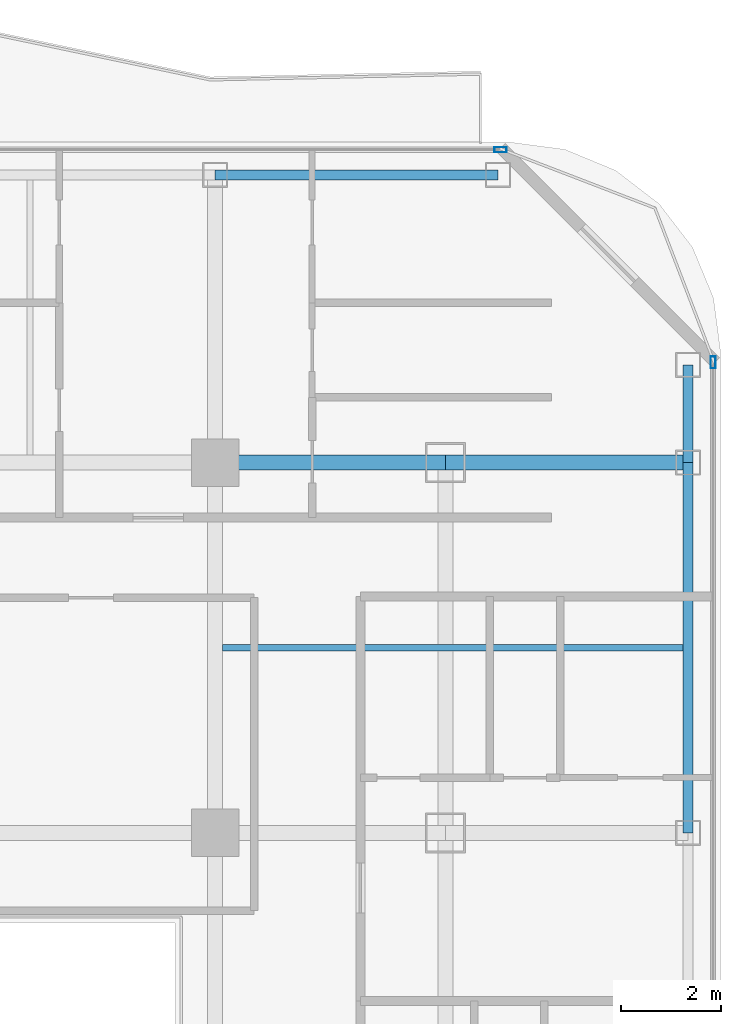
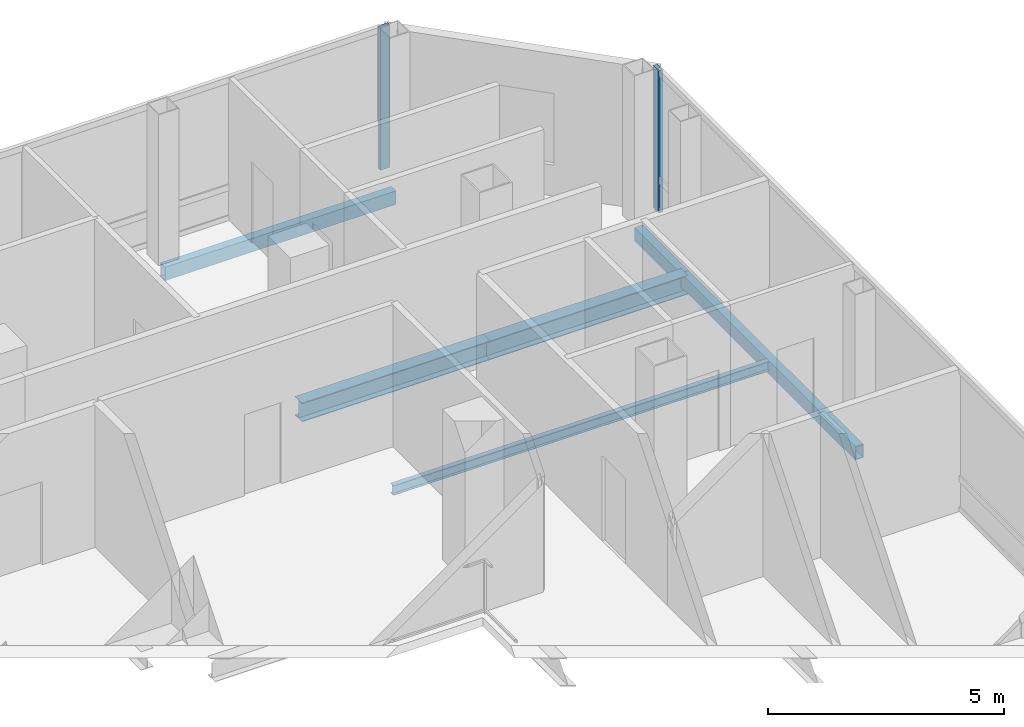
# One storey, part 15 of 24: 6 beams, 2 members, 2 elements without a shape of their own.
"""IFC4 building model written with IfcOpenShell, lengths in metres."""

from ifc_helpers import new_model, si_unit, direction, frame, origin, origin_2d, place, context, subcontext, project, spatial, hollow_rectangle, i_section, extrude, material, layer, layer_set, material_profile, profile_set, type_object, element, aggregate, save


model = new_model("IFC4")

# Units and contexts
model_context = context("Model", 3, precision=1e-05, world=origin(), true_north=direction((0.0, 1.0)))
body_context = subcontext(model_context, "Body", "Model", "MODEL_VIEW")
ifc_project = project(units=[si_unit("LENGTHUNIT", "METRE"), si_unit("AREAUNIT", "SQUARE_METRE"), si_unit("VOLUMEUNIT", "CUBIC_METRE"), si_unit("PLANEANGLEUNIT", "RADIAN"), si_unit("MASSUNIT", "GRAM", prefix="KILO")], contexts=[model_context])

# Site, building, storey
site_placement = place(None, origin())
site = spatial("IfcSite", under=ifc_project, at=site_placement, CompositionType="ELEMENT")
building_placement = place(site_placement, origin())
building = spatial("IfcBuilding", under=site, at=building_placement, Name="Khorvyn Point Tower", CompositionType="ELEMENT")
storey_placement = place(building_placement, frame((0.0, 0.0, 266.39990234375)))
storey = spatial("IfcBuildingStorey", under=building, at=storey_placement, Name="L65", CompositionType="ELEMENT", Elevation=266.39990234375)

# Curtain wall, member
ifc_material_1 = material(Name="Anodised aluminium 6063-T6 and laminated Low-E glass", Category="aluminium")
ifc_layer = layer(ifc_material_1, 0.18994140625)
ifc_layer_set = layer_set([ifc_layer], Name="Stick-Built High-Wind Curtain Wall CW-SYS-04")
curtain_wall_type = type_object("IfcCurtainWallType", Name="Stick-Built High-Wind Curtain Wall CW-SYS-04", PredefinedType="NOTDEFINED", material=ifc_layer_set)
curtain_wall_1_placement = place(storey_placement, origin())
curtain_wall_1 = element("IfcCurtainWall", 1, at=curtain_wall_1_placement, inside=storey, type_object=curtain_wall_type, Name="Curtain Wall", PredefinedType="NOTDEFINED")
ifc_material_2 = material(Name="Anodised aluminium 6063-T6", Category="aluminium")
ifc_material_profile_1 = material_profile(ifc_material_2, hollow_rectangle(XDim=0.10009765625, YDim=0.239990234375, WallThickness=0.0048828125, at=origin_2d()))
ifc_profile_set_1 = profile_set([ifc_material_profile_1], Name="Anodised aluminium 6063-T6 ALU-MUL-100x240")
member_type = type_object("IfcMemberType", Name="Anodised Aluminium 6063-T6 Mullion ALU-MUL-100x240", PredefinedType="MULLION", material=ifc_profile_set_1)
member_1_placement = place(storey_placement, frame((20.5, 21.050048828125, 0.0), z_axis=(0.0, 0.0, 1.0), x_axis=(0.0, 1.0, 0.0)))
member_1 = element("IfcMember", 2, at=member_1_placement, type_object=member_type, Name="Transom", PredefinedType="MULLION", context=body_context, shape_type="SweptSolid", body=[
    extrude(hollow_rectangle(XDim=0.10009765625, YDim=0.239990234375, WallThickness=0.0048828125, at=origin_2d()), origin(), (0.0, 0.0, 1.0), 3.68017578125),
])
aggregate(curtain_wall_1, [member_1])

curtain_wall_2_placement = place(storey_placement, origin())
curtain_wall_2 = element("IfcCurtainWall", 3, at=curtain_wall_2_placement, inside=storey, type_object=curtain_wall_type, Name="Curtain Wall", PredefinedType="NOTDEFINED")
member_2_placement = place(storey_placement, frame((24.75, 16.800048828125, 0.0), z_axis=(0.0, 0.0, 1.0), x_axis=(1.0, 0.0, 0.0)))
member_2 = element("IfcMember", 4, at=member_2_placement, type_object=member_type, Name="Transom", PredefinedType="MULLION", context=body_context, shape_type="SweptSolid", body=[
    extrude(hollow_rectangle(XDim=0.10009765625, YDim=0.239990234375, WallThickness=0.0048828125, at=origin_2d()), origin(), (0.0, 0.0, 1.0), 3.68017578125),
])
aggregate(curtain_wall_2, [member_2])

# Beams
ifc_material_3 = material(Name="Steel S355", Category="steel")
ifc_material_profile_2 = material_profile(ifc_material_3, i_section(OverallWidth=0.125, OverallDepth=0.25, WebThickness=0.006103515625, FlangeThickness=0.009033203125, at=origin_2d()))
ifc_profile_set_2 = profile_set([ifc_material_profile_2], Name="Steel S355 H250x125x6x9")
beam_type_1 = type_object("IfcBeamType", Name="Steel S355 Joist H250x125x6x9", PredefinedType="JOIST", material=ifc_profile_set_2)
beam_1_placement = place(storey_placement, frame((14.949951171875, 11.10009765625, -0.344970703125), z_axis=(1.0, 0.0, 0.0), x_axis=(0.0, 1.0, 0.0)))
element("IfcBeam", 5, at=beam_1_placement, inside=storey, type_object=beam_type_1, Name="Beam", PredefinedType="JOIST", context=body_context, shape_type="SweptSolid", body=[
    extrude(i_section(OverallWidth=0.125, OverallDepth=0.25, WebThickness=0.006103515625, FlangeThickness=0.009033203125, at=origin_2d()), origin(), (0.0, 0.0, 1.0), 9.199951171875),
])
ifc_material_profile_3 = material_profile(ifc_material_3, i_section(OverallWidth=0.300048828125, OverallDepth=0.488037109375, WebThickness=0.010986328125, FlangeThickness=0.01806640625, at=origin_2d()))
ifc_profile_set_3 = profile_set([ifc_material_profile_3], Name="Steel S355 H488x300x11x18")
beam_type_2 = type_object("IfcBeamType", Name="Steel S355 Spandrel H488x300x11x18", PredefinedType="SPANDREL", material=ifc_profile_set_3)
beam_2_placement = place(storey_placement, frame((14.800048828125, 14.800048828125, -0.4638671875), z_axis=(1.0, 0.0, 0.0), x_axis=(0.0, 1.0, 0.0)))
element("IfcBeam", 6, at=beam_2_placement, inside=storey, type_object=beam_type_2, Name="Beam", PredefinedType="SPANDREL", context=body_context, shape_type="SweptSolid", body=[
    extrude(i_section(OverallWidth=0.300048828125, OverallDepth=0.488037109375, WebThickness=0.010986328125, FlangeThickness=0.01806640625, at=origin_2d()), origin(), (0.0, 0.0, 1.0), 4.599853515625),
])
beam_3_placement = place(storey_placement, frame((19.39990234375, 14.800048828125, -0.4638671875), z_axis=(1.0, 0.0, 0.0), x_axis=(0.0, 1.0, 0.0)))
element("IfcBeam", 7, at=beam_3_placement, inside=storey, type_object=beam_type_2, Name="Beam", PredefinedType="SPANDREL", context=body_context, shape_type="SweptSolid", body=[
    extrude(i_section(OverallWidth=0.300048828125, OverallDepth=0.488037109375, WebThickness=0.010986328125, FlangeThickness=0.01806640625, at=origin_2d()), origin(), (0.0, 0.0, 1.0), 4.85009765625),
])
ifc_material_profile_4 = material_profile(ifc_material_3, hollow_rectangle(XDim=0.199951171875, YDim=0.35009765625, WallThickness=0.013916015625, at=origin_2d()))
ifc_profile_set_4 = profile_set([ifc_material_profile_4], Name="Steel S355 RHS350x200x14")
beam_type_3 = type_object("IfcBeamType", Name="Steel S355 Spandrel RHS350x200x14", PredefinedType="SPANDREL", material=ifc_profile_set_4)
beam_4_placement = place(storey_placement, frame((14.800048828125, 20.550048828125, -0.39501953125), z_axis=(1.0, 0.0, 0.0), x_axis=(0.0, 1.0, 0.0)))
element("IfcBeam", 8, at=beam_4_placement, inside=storey, type_object=beam_type_3, Name="Beam", PredefinedType="SPANDREL", context=body_context, shape_type="SweptSolid", body=[
    extrude(hollow_rectangle(XDim=0.199951171875, YDim=0.35009765625, WallThickness=0.013916015625, at=origin_2d()), origin(), (0.0, 0.0, 1.0), 5.64990234375),
])
beam_5_placement = place(storey_placement, frame((24.25, 7.39990234375, -0.39501953125), z_axis=(0.0, 1.0, 0.0), x_axis=(-1.0, 0.0, 0.0)))
element("IfcBeam", 9, at=beam_5_placement, inside=storey, type_object=beam_type_3, Name="Beam", PredefinedType="SPANDREL", context=body_context, shape_type="SweptSolid", body=[
    extrude(hollow_rectangle(XDim=0.199951171875, YDim=0.35009765625, WallThickness=0.013916015625, at=origin_2d()), origin(), (0.0, 0.0, 1.0), 7.400146484375),
])
beam_6_placement = place(storey_placement, frame((24.25, 14.800048828125, -0.39501953125), z_axis=(0.0, 1.0, 0.0), x_axis=(-1.0, 0.0, 0.0)))
element("IfcBeam", 10, at=beam_6_placement, inside=storey, type_object=beam_type_3, Name="Beam", PredefinedType="SPANDREL", context=body_context, shape_type="SweptSolid", body=[
    extrude(hollow_rectangle(XDim=0.199951171875, YDim=0.35009765625, WallThickness=0.013916015625, at=origin_2d()), origin(), (0.0, 0.0, 1.0), 1.949951171875),
])

save(model, "model.ifc")
